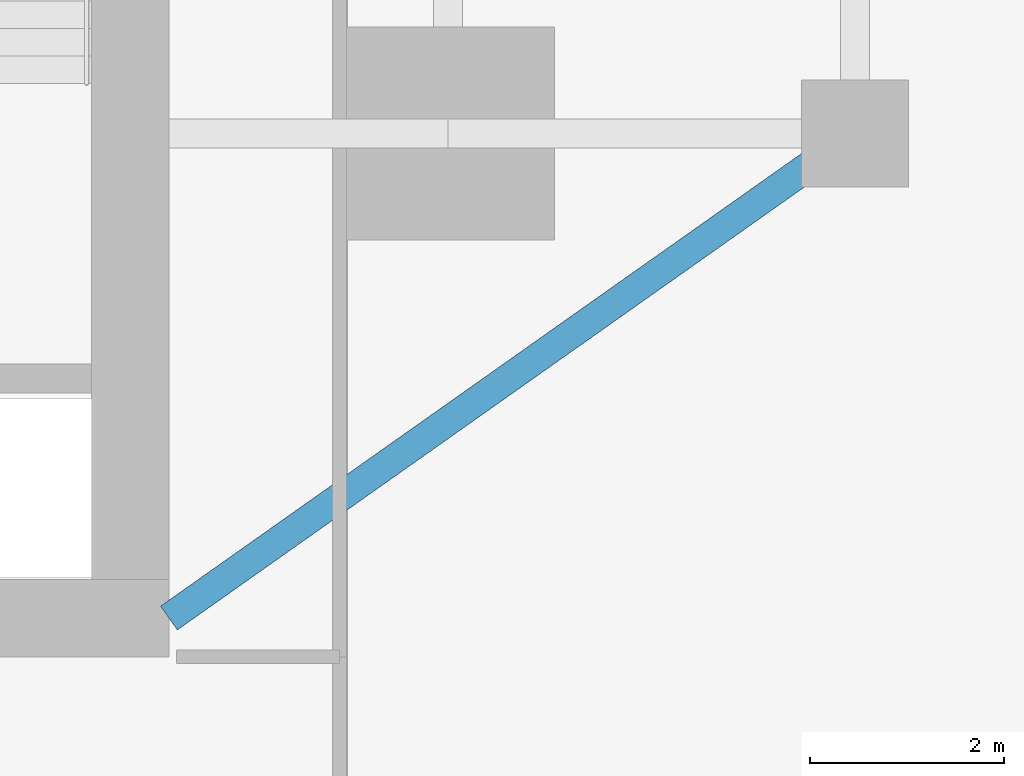
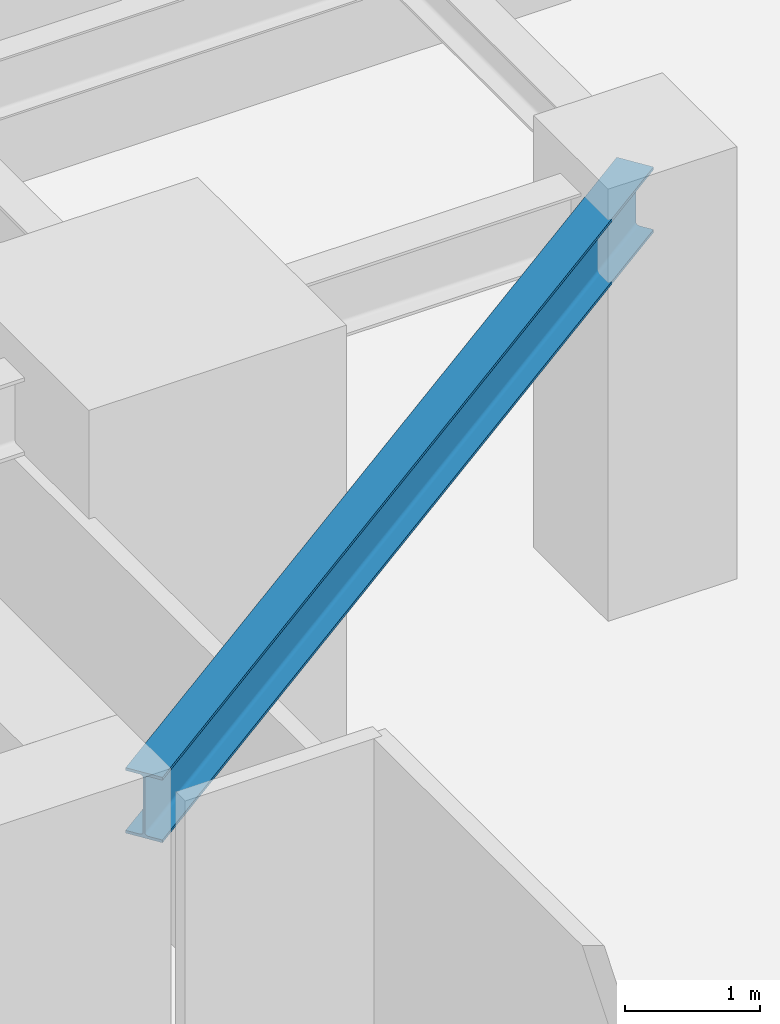
# One storey, part 11 of 31: 1 beam.
"""IFC4 building model written with IfcOpenShell, lengths in metres."""

from ifc_helpers import new_model, si_unit, direction, frame, origin, origin_2d, place, context, subcontext, project, spatial, i_section, extrude, source, transform, mapped, material, material_profile, profile_set, type_object, type_shapes, element, save


model = new_model("IFC4")

# Units and contexts
model_context = context("Model", 3, precision=1e-05, world=origin(), true_north=direction((0.0, 1.0)))
body_context = subcontext(model_context, "Body", "Model", "MODEL_VIEW")
ifc_project = project(units=[si_unit("LENGTHUNIT", "METRE"), si_unit("AREAUNIT", "SQUARE_METRE"), si_unit("VOLUMEUNIT", "CUBIC_METRE"), si_unit("PLANEANGLEUNIT", "RADIAN"), si_unit("MASSUNIT", "GRAM", prefix="KILO")], contexts=[model_context])

# Site, building, storey
site_placement = place(None, origin())
site = spatial("IfcSite", under=ifc_project, at=site_placement, CompositionType="ELEMENT")
building_placement = place(site_placement, origin())
building = spatial("IfcBuilding", under=site, at=building_placement, Name="Krantzveldt Concourse Tower", CompositionType="ELEMENT")
storey_placement = place(building_placement, frame((0.0, 0.0, 56.60009765625)))
storey = spatial("IfcBuildingStorey", under=building, at=storey_placement, Name="L13", CompositionType="ELEMENT", Elevation=56.60009765625)

# Beam
ifc_material = material(Name="Steel S355JR", Category="steel")
ifc_material_profile = material_profile(ifc_material, i_section(OverallWidth=0.300048828125, OverallDepth=0.590087890625, WebThickness=0.012939453125, FlangeThickness=0.02490234375, FilletRadius=0.027099609375, at=origin_2d()), Name="Steel S355JR", Category="steel")
ifc_profile_set = profile_set([ifc_material_profile], Name="Steel S355JR - HEA 600")
beam_type = type_object("IfcBeamType", Name="BM-B-HEA600", PredefinedType="BEAM", material=ifc_profile_set)
shared_shape = source(origin(), body_context, "Body", "SweptSolid", [
    extrude(i_section(OverallWidth=0.300048828125, OverallDepth=0.590087890625, WebThickness=0.012939453125, FlangeThickness=0.02490234375, FilletRadius=0.027099609375, at=origin_2d()), origin(), (0.0, 0.0, 1.0), 8.667724609375),
])
type_shapes(beam_type, [shared_shape])
beam_placement = place(storey_placement, frame((51.0, 15.89990234375, 3.375), z_axis=(-0.81684294656, -0.576860122261, 0.0), x_axis=(0.576860122261, -0.81684294656, 0.0)))
element("IfcBeam", 1, at=beam_placement, inside=storey, type_object=beam_type, Name="L13 Tower Girder BR-CSE", PredefinedType="BEAM", context=body_context, shape_type="MappedRepresentation", body=[
    mapped(shared_shape, transform((0.0, 0.0, 0.0), x_axis=(1.0, 0.0, 0.0), y_axis=(0.0, 1.0, 0.0), z_axis=(0.0, 0.0, 1.0), scale=1.0)),
])

save(model, "model.ifc")
